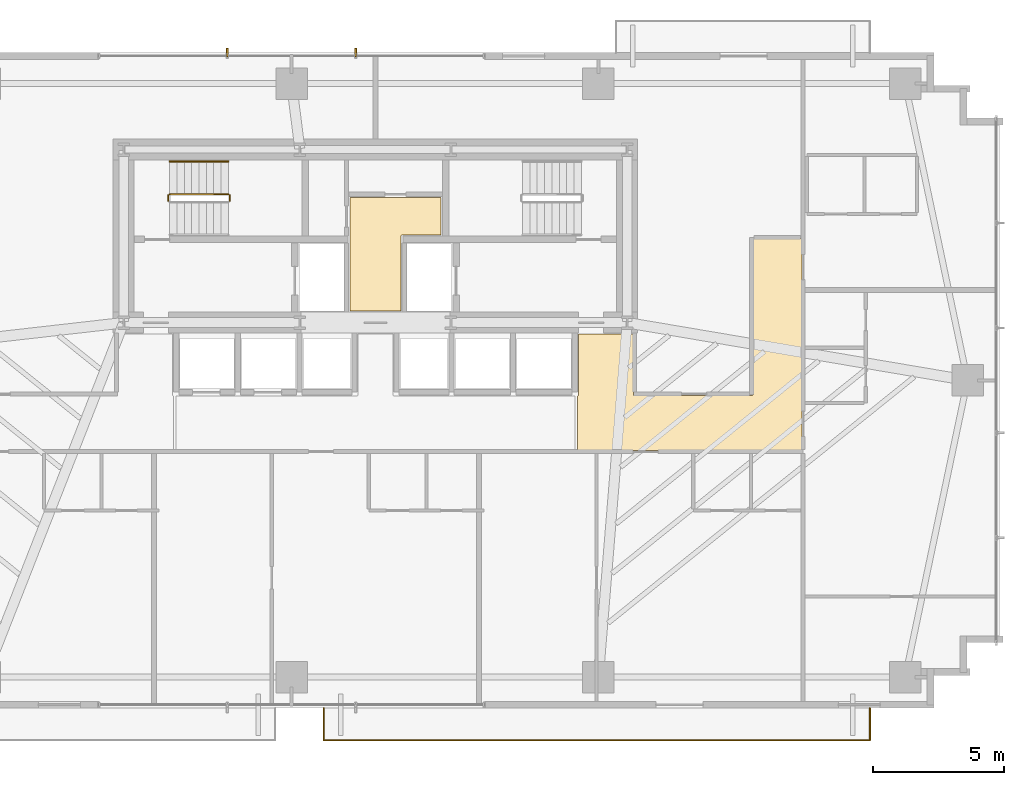
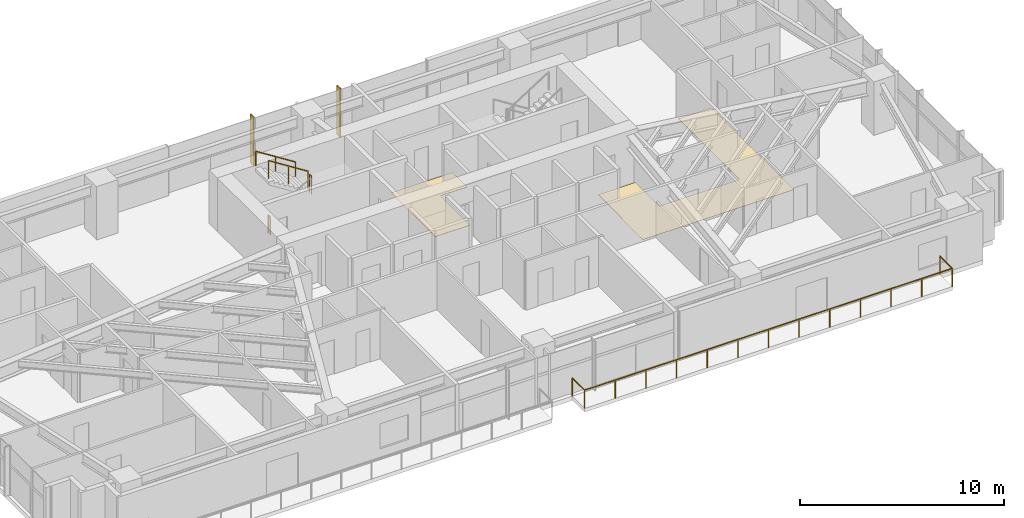
# One storey, part 24 of 25: 5 railings, 2 coverings, 2 shading devices.
"""IFC4 building model written with IfcOpenShell, lengths in metres."""

from ifc_helpers import new_model, si_unit, direction, frame, origin, origin_2d, place, context, subcontext, project, spatial, polyline, rectangle, outline, extrude, source, transform, mapped, material, layer, layer_set, type_object, type_shapes, element, save


model = new_model("IFC4")

# Units and contexts
model_context = context("Model", 3, precision=1e-05, world=origin(), true_north=direction((0.0, 1.0)))
body_context = subcontext(model_context, "Body", "Model", "MODEL_VIEW")
ifc_project = project(units=[si_unit("LENGTHUNIT", "METRE"), si_unit("AREAUNIT", "SQUARE_METRE"), si_unit("VOLUMEUNIT", "CUBIC_METRE"), si_unit("PLANEANGLEUNIT", "RADIAN"), si_unit("MASSUNIT", "GRAM", prefix="KILO")], contexts=[model_context])

# Site, building, storey
site_placement = place(None, origin())
site = spatial("IfcSite", under=ifc_project, at=site_placement, CompositionType="ELEMENT")
building_placement = place(site_placement, origin())
building = spatial("IfcBuilding", under=site, at=building_placement, Name="Astriad Promenade Condominiums", CompositionType="ELEMENT")
storey_placement = place(building_placement, frame((0.0, 0.0, 61.39990234375)))
storey = spatial("IfcBuildingStorey", under=building, at=storey_placement, Name="L17", CompositionType="ELEMENT", Elevation=61.39990234375)

# Coverings
ifc_material_1 = material(Name="Polished Lakefront Terrazzo Flooring")
ifc_layer = layer(ifc_material_1, 0.02001953125)
ifc_layer_set = layer_set([ifc_layer], Name="Polished Lakefront Terrazzo Flooring")
covering_type = type_object("IfcCoveringType", Name="COV-FLOR-TERRAZZO-20", PredefinedType="FLOORING", material=ifc_layer_set)
covering_1_placement = place(storey_placement, origin())
element("IfcCovering", 1, at=covering_1_placement, inside=storey, type_object=covering_type, Name="FLR-L17-CSL", PredefinedType="FLOORING", context=body_context, shape_type="SweptSolid", body=[
    extrude(outline(polyline([(36.97998046875, 20.699951171875), (36.97998046875, 17.840087890625), (35.02001953125, 17.840087890625), (35.02001953125, 22.179931640625), (38.5, 22.179931640625), (38.5, 20.739990234375), (37.02001953125, 20.739990234375), (37.01611328125, 20.73974609375), (37.01220703125, 20.7392578125), (37.00830078125, 20.73828125), (37.004638671875, 20.737060546875), (37.001220703125, 20.7353515625), (36.997802734375, 20.7333984375), (36.99462890625, 20.73095703125), (36.99169921875, 20.728271484375), (36.989013671875, 20.725341796875), (36.98681640625, 20.72216796875), (36.984619140625, 20.718994140625), (36.98291015625, 20.71533203125), (36.981689453125, 20.711669921875), (36.980712890625, 20.707763671875), (36.980224609375, 20.703857421875), (36.97998046875, 20.699951171875)])), origin(), (0.0, 0.0, 1.0), 0.02001953125),
])
covering_2_placement = place(storey_placement, origin())
element("IfcCovering", 2, at=covering_2_placement, inside=storey, type_object=covering_type, Name="FLR-L17-COR-1", PredefinedType="FLOORING", context=body_context, shape_type="SweptSolid", body=[
    extrude(outline(polyline([(43.699951171875, 12.530029296875), (43.699951171875, 14.610107421875), (43.703857421875, 14.610107421875), (43.707763671875, 14.61083984375), (43.711669921875, 14.61181640625), (43.71533203125, 14.613037109375), (43.718994140625, 14.61474609375), (43.72216796875, 14.61669921875), (43.725341796875, 14.619140625), (43.728271484375, 14.62158203125), (43.73095703125, 14.62451171875), (43.7333984375, 14.627685546875), (43.7353515625, 14.631103515625), (43.737060546875, 14.634765625), (43.73828125, 14.638427734375), (43.7392578125, 14.64208984375), (43.73974609375, 14.64599609375), (43.739990234375, 14.64990234375), (43.739990234375, 16.9599609375), (45.840087890625, 16.9599609375), (45.840087890625, 14.659912109375), (45.840087890625, 14.656005859375), (45.8408203125, 14.652099609375), (45.841796875, 14.6484375), (45.843017578125, 14.644775390625), (45.8447265625, 14.64111328125), (45.8466796875, 14.6376953125), (45.84912109375, 14.634521484375), (45.851806640625, 14.631591796875), (45.8544921875, 14.629150390625), (45.85791015625, 14.626708984375), (45.861083984375, 14.624755859375), (45.86474609375, 14.623046875), (45.868408203125, 14.62158203125), (45.872314453125, 14.620849609375), (45.876220703125, 14.6201171875), (45.8798828125, 14.6201171875), (50.35009765625, 14.6201171875), (50.35400390625, 14.6201171875), (50.35791015625, 14.620849609375), (50.361572265625, 14.62158203125), (50.365234375, 14.623046875), (50.368896484375, 14.624755859375), (50.372314453125, 14.626708984375), (50.37548828125, 14.629150390625), (50.37841796875, 14.631591796875), (50.380859375, 14.634521484375), (50.38330078125, 14.6376953125), (50.38525390625, 14.64111328125), (50.386962890625, 14.644775390625), (50.38818359375, 14.6484375), (50.38916015625, 14.652099609375), (50.389892578125, 14.656005859375), (50.389892578125, 14.659912109375), (50.389892578125, 20.610107421875), (52.260009765625, 20.610107421875), (52.260009765625, 12.530029296875), (43.699951171875, 12.530029296875)])), origin(), (0.0, 0.0, 1.0), 0.02001953125),
])

# Shading devices
ifc_material_2 = material(Name="Anodised aluminium 6063-T6 Black Fin", Category="aluminium")
shading_device_type = type_object("IfcShadingDeviceType", Name="FIN-BLACK-320", PredefinedType="USERDEFINED", material=ifc_material_2)
shared_shape_1 = source(origin(), body_context, "Body", "SweptSolid", [
    extrude(rectangle(XDim=0.06494140625, YDim=0.320068359375, at=origin_2d()), origin(), (0.0, 0.0, 1.0), 2.93994140625),
])
type_shapes(shading_device_type, [shared_shape_1])
for number, where, z_axis, x_axis, name in (
    (3, (30.35009765625, 27.7099609375, 0.000244140625), (0.0, 0.0, 1.0), (1.0, 0.0, 0.0), "CW-L17-N-FIN-01"),
    (4, (35.25, 27.7099609375, 0.000244140625), (0.0, 0.0, 1.0), (1.0, 0.0, 0.0), "CW-L17-N-FIN-02"),
):
    element("IfcShadingDevice", number, at=place(storey_placement, frame(where, z_axis=z_axis, x_axis=x_axis)), inside=storey, type_object=shading_device_type, Name=name, ObjectType="FIN", PredefinedType="USERDEFINED", context=body_context, shape_type="MappedRepresentation", body=[
        mapped(shared_shape_1, transform((0.0, 0.0, 0.0), scale=1.0)),
    ])

# Railings
ifc_material_3 = material(Name="Laminated Glass and Stainless Steel Balustrade", Category="steel")
railing_type_1 = type_object("IfcRailingType", Name="GRD-BALC-1120", PredefinedType="BALUSTRADE", material=ifc_material_3)
shared_shape_2 = source(origin(), body_context, "Body", "SweptSolid", [
    extrude(rectangle(XDim=0.048095703125, YDim=0.048095703125, at=origin_2d()), frame((0.0, 0.0, 1.09619140625), z_axis=(0.0, -1.0, 0.0), x_axis=(1.0, 0.0, 0.0)), (0.0, 0.0, 1.0), 1.219970703125),
    extrude(rectangle(XDim=0.048095703125, YDim=0.048095703125, at=origin_2d()), frame((0.0, -1.219970703125, 1.09619140625), z_axis=(1.0, 0.0, 0.0), x_axis=(0.0, 1.0, 0.0)), (0.0, 0.0, 1.0), 20.823974609375),
    extrude(rectangle(XDim=0.048095703125, YDim=0.048095703125, at=origin_2d()), frame((20.823974609375, -1.219970703125, 1.09619140625), z_axis=(0.0, 1.0, 0.0), x_axis=(-1.0, 0.0, 0.0)), (0.0, 0.0, 1.0), 1.219970703125),
    extrude(rectangle(XDim=0.0419921875, YDim=0.0419921875, at=origin_2d()), origin(), (0.0, 0.0, 1.0), 1.072021484375),
    extrude(rectangle(XDim=0.0419921875, YDim=0.0419921875, at=origin_2d()), frame((0.0, -1.219970703125, 0.0)), (0.0, 0.0, 1.0), 1.072021484375),
    extrude(rectangle(XDim=0.0419921875, YDim=0.0419921875, at=origin_2d()), frame((1.7353515625, -1.219970703125, 0.0)), (0.0, 0.0, 1.0), 1.072021484375),
    extrude(rectangle(XDim=0.0419921875, YDim=0.0419921875, at=origin_2d()), frame((3.470703125, -1.219970703125, 0.0)), (0.0, 0.0, 1.0), 1.072021484375),
    extrude(rectangle(XDim=0.0419921875, YDim=0.0419921875, at=origin_2d()), frame((5.2060546875, -1.219970703125, 0.0)), (0.0, 0.0, 1.0), 1.072021484375),
    extrude(rectangle(XDim=0.0419921875, YDim=0.0419921875, at=origin_2d()), frame((6.94140625, -1.219970703125, 0.0)), (0.0, 0.0, 1.0), 1.072021484375),
    extrude(rectangle(XDim=0.0419921875, YDim=0.0419921875, at=origin_2d()), frame((8.6767578125, -1.219970703125, 0.0)), (0.0, 0.0, 1.0), 1.072021484375),
    extrude(rectangle(XDim=0.0419921875, YDim=0.0419921875, at=origin_2d()), frame((10.412109375, -1.219970703125, 0.0)), (0.0, 0.0, 1.0), 1.072021484375),
    extrude(rectangle(XDim=0.0419921875, YDim=0.0419921875, at=origin_2d()), frame((12.147216796875, -1.219970703125, 0.0)), (0.0, 0.0, 1.0), 1.072021484375),
    extrude(rectangle(XDim=0.0419921875, YDim=0.0419921875, at=origin_2d()), frame((13.882568359375, -1.219970703125, 0.0)), (0.0, 0.0, 1.0), 1.072021484375),
    extrude(rectangle(XDim=0.0419921875, YDim=0.0419921875, at=origin_2d()), frame((15.617919921875, -1.219970703125, 0.0)), (0.0, 0.0, 1.0), 1.072021484375),
    extrude(rectangle(XDim=0.0419921875, YDim=0.0419921875, at=origin_2d()), frame((17.353271484375, -1.219970703125, 0.0)), (0.0, 0.0, 1.0), 1.072021484375),
    extrude(rectangle(XDim=0.0419921875, YDim=0.0419921875, at=origin_2d()), frame((19.088623046875, -1.219970703125, 0.0)), (0.0, 0.0, 1.0), 1.072021484375),
    extrude(rectangle(XDim=0.0419921875, YDim=0.0419921875, at=origin_2d()), frame((20.823974609375, -1.219970703125, 0.0)), (0.0, 0.0, 1.0), 1.072021484375),
    extrude(rectangle(XDim=0.0419921875, YDim=0.0419921875, at=origin_2d()), frame((20.823974609375, 0.0, 0.0)), (0.0, 0.0, 1.0), 1.072021484375),
])
type_shapes(railing_type_1, [shared_shape_2])
railing_1_placement = place(storey_placement, frame((34.031982421875, 2.699951171875, 0.0)))
element("IfcRailing", 5, at=railing_1_placement, inside=storey, type_object=railing_type_1, Name="GRD-BALC-L17-SE", PredefinedType="BALUSTRADE", context=body_context, shape_type="MappedRepresentation", body=[
    mapped(shared_shape_2, transform((0.0, 0.0, 0.0), scale=1.0)),
])
ifc_material_4 = material(Name="Painted Galvanised Steel Guardrail", Category="steel")
railing_type_2 = type_object("IfcRailingType", Name="GRD-STAIR-1100", PredefinedType="GUARDRAIL", material=ifc_material_4)
shared_shape_3 = source(origin(), body_context, "Body", "SweptSolid", [
    extrude(rectangle(XDim=0.048095703125, YDim=0.048095703125, at=origin_2d()), frame((0.0, 0.0, 1.076171875), z_axis=(0.0, 1.0, 0.0), x_axis=(-1.0, 0.0, 0.0)), (0.0, 0.0, 1.0), 0.199951171875),
    extrude(rectangle(XDim=0.0419921875, YDim=0.0419921875, at=origin_2d()), origin(), (0.0, 0.0, 1.0), 1.052001953125),
    extrude(rectangle(XDim=0.0419921875, YDim=0.0419921875, at=origin_2d()), frame((0.0, 0.199951171875, 0.0)), (0.0, 0.0, 1.0), 1.052001953125),
])
for number, where, name in (
    (6, (30.43994140625, 22.050048828125, 1.60009765625), "L17 ST-1 stair guard 2"),
    (7, (28.10009765625, 22.050048828125, 0.0), "L17 ST-1 stair guard 4"),
):
    element("IfcRailing", number, at=place(storey_placement, frame(where)), inside=storey, type_object=railing_type_2, Name=name, PredefinedType="GUARDRAIL", context=body_context, shape_type="MappedRepresentation", body=[
        mapped(shared_shape_3, transform((0.0, 0.0, 0.0), scale=1.0)),
    ])
shared_shape_4 = source(origin(), body_context, "Body", "SweptSolid", [
    extrude(rectangle(XDim=0.048095703125, YDim=0.048095703125, at=origin_2d()), frame((0.0, 0.0, 1.076171875), z_axis=(-0.84418770128, 0.0, 0.536047689118), x_axis=(0.0, -1.0, 0.0)), (0.0, 0.0, 1.0), 2.6533203125),
    extrude(rectangle(XDim=0.0419921875, YDim=0.0419921875, at=origin_2d()), origin(), (0.0, 0.0, 1.0), 1.052001953125),
    extrude(rectangle(XDim=0.0419921875, YDim=0.0419921875, at=origin_2d()), frame((-1.1201171875, 0.0, 0.711181640625)), (0.0, 0.0, 1.0), 1.052001953125),
    extrude(rectangle(XDim=0.0419921875, YDim=0.0419921875, at=origin_2d()), frame((-2.239990234375, 0.0, 1.42236328125)), (0.0, 0.0, 1.0), 1.052001953125),
])
type_shapes(railing_type_2, [shared_shape_3, shared_shape_4])
railing_2_placement = place(storey_placement, frame((30.389892578125, 22.300048828125, 1.77783203125)))
element("IfcRailing", 8, at=railing_2_placement, inside=storey, type_object=railing_type_2, Name="L17 ST-1 stair guard 3", PredefinedType="GUARDRAIL", context=body_context, shape_type="MappedRepresentation", body=[
    mapped(shared_shape_4, transform((0.0, 0.0, 0.0), scale=1.0)),
])
ifc_material_5 = material(Name="Brushed Stainless Steel Handrail", Category="steel")
railing_type_3 = type_object("IfcRailingType", Name="HRL-STAIR-920", PredefinedType="HANDRAIL", material=ifc_material_5)
shared_shape_5 = source(origin(), body_context, "Body", "SweptSolid", [
    extrude(rectangle(XDim=0.048095703125, YDim=0.048095703125, at=origin_2d()), frame((0.0, 0.0, 0.8759765625), z_axis=(-0.84418770128, 0.0, 0.536047689118), x_axis=(0.0, -1.0, 0.0)), (0.0, 0.0, 1.0), 2.6533203125),
    extrude(rectangle(XDim=0.0419921875, YDim=0.0419921875, at=origin_2d()), origin(), (0.0, 0.0, 1.0), 0.851806640625),
    extrude(rectangle(XDim=0.0419921875, YDim=0.0419921875, at=origin_2d()), frame((-1.1201171875, 0.0, 0.711181640625)), (0.0, 0.0, 1.0), 0.851806640625),
    extrude(rectangle(XDim=0.0419921875, YDim=0.0419921875, at=origin_2d()), frame((-2.239990234375, 0.0, 1.42236328125)), (0.0, 0.0, 1.0), 0.851806640625),
])
type_shapes(railing_type_3, [shared_shape_5])
railing_3_placement = place(storey_placement, frame((30.389892578125, 23.550048828125, 1.77783203125)))
element("IfcRailing", 9, at=railing_3_placement, inside=storey, type_object=railing_type_3, Name="L17 ST-1 stair handrail 2", PredefinedType="HANDRAIL", context=body_context, shape_type="MappedRepresentation", body=[
    mapped(shared_shape_5, transform((0.0, 0.0, 0.0), scale=1.0)),
])

save(model, "model.ifc")
